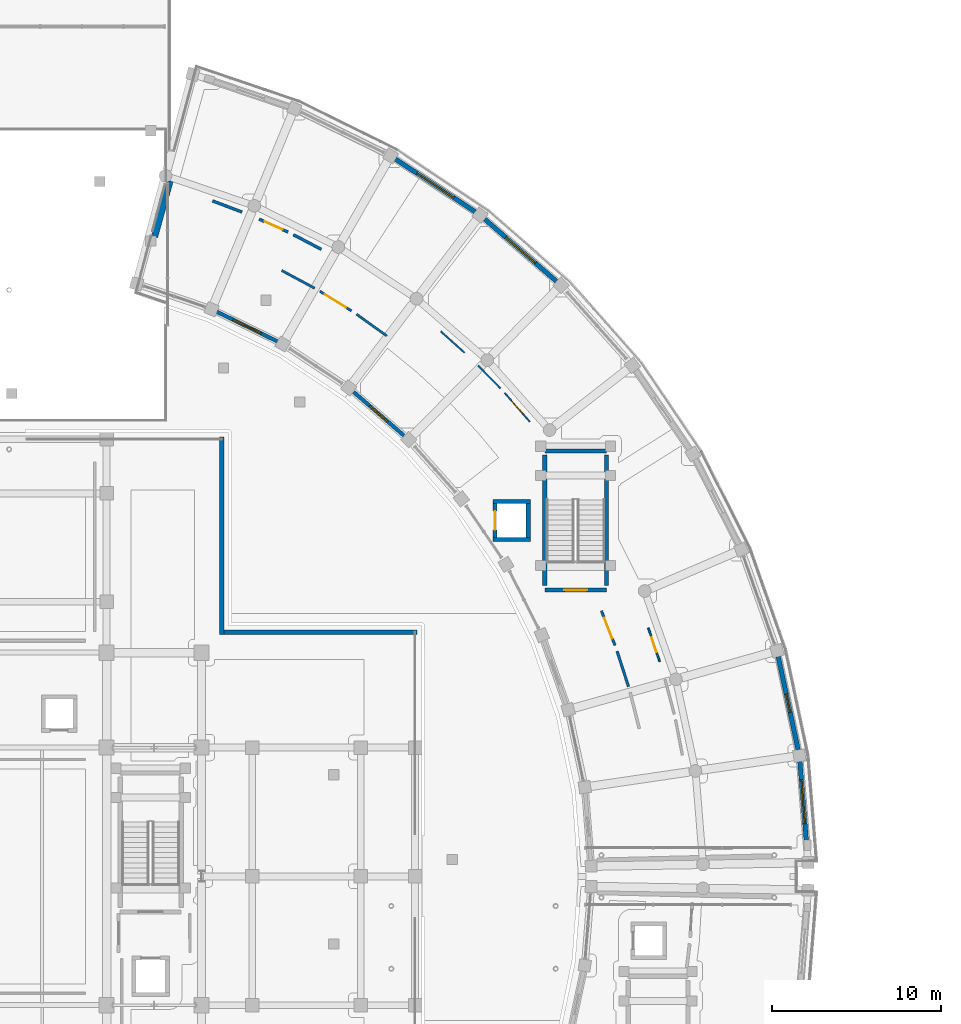
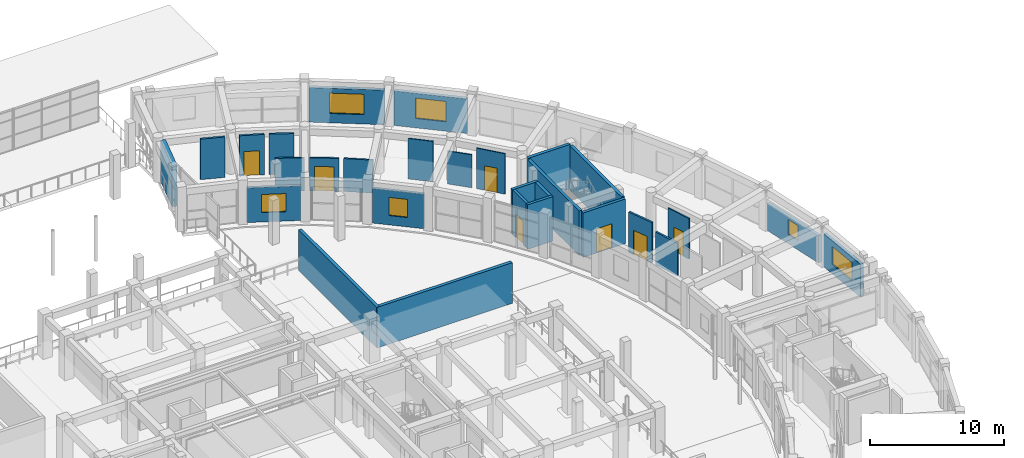
# One storey, part 63 of 87: 29 walls, 7 doors, 6 windows, 13 openings.
"""IFC4 building model written with IfcOpenShell, lengths in metres."""

from ifc_helpers import new_model, si_unit, direction, frame, frame_2d, origin, place, context, subcontext, project, spatial, rectangle, extrude, material, layer, layer_set, type_object, element, fill, save


model = new_model("IFC4")

# Units and contexts
model_context = context("Model", 3, precision=1e-05, world=origin(), true_north=direction((0.0, 1.0)))
body_context = subcontext(model_context, "Body", "Model", "MODEL_VIEW")
ifc_project = project(units=[si_unit("LENGTHUNIT", "METRE"), si_unit("AREAUNIT", "SQUARE_METRE"), si_unit("VOLUMEUNIT", "CUBIC_METRE"), si_unit("PLANEANGLEUNIT", "RADIAN"), si_unit("MASSUNIT", "GRAM", prefix="KILO")], contexts=[model_context])

# Site, building, storey
site_placement = place(None, origin())
site = spatial("IfcSite", under=ifc_project, at=site_placement, CompositionType="ELEMENT")
building_placement = place(site_placement, origin())
building = spatial("IfcBuilding", under=site, at=building_placement, Name="Saryqyr Civic Hall", CompositionType="ELEMENT")
storey_placement = place(building_placement, frame((0.0, 0.0, 5.10009765625)))
storey = spatial("IfcBuildingStorey", under=building, at=storey_placement, Name="L01", CompositionType="ELEMENT", Elevation=5.10009765625)

# Wall, opening, window
ifc_material_1 = material(Name="Precast concrete C40/50", Category="concrete")
ifc_layer_1 = layer(ifc_material_1, 0.219970703125, Name="Precast concrete C40/50")
ifc_layer_set_1 = layer_set([ifc_layer_1], Name="Precast concrete C40/50")
wall_type_1 = type_object("IfcWallType", Name="ENV-WAL-EXT-220", PredefinedType="STANDARD", material=ifc_layer_set_1)
wall_1_placement = place(storey_placement, frame((82.141845703125, 110.013427734375, 0.0), z_axis=(0.0, 0.0, 1.0), x_axis=(-0.755623339406, 0.655006388476, 0.0)))
wall_1 = element("IfcWall", 1, at=wall_1_placement, inside=storey, type_object=wall_type_1, Name="Exterior wall V6-EWI-L01-06", PredefinedType="STANDARD", context=body_context, shape_type="SweptSolid", body=[
    extrude(rectangle(XDim=3.921142578125, YDim=0.219970703125, at=frame_2d((1.96044921875, 0.0))), origin(), (0.0, 0.0, 1.0), 3.14501953125),
])
opening_1_placement = place(wall_1_placement, frame((1.260986328125, 0.0, 0.85009765625)))
opening_1 = element("IfcOpeningElement", 2, at=opening_1_placement, cuts=wall_1, Name="Opening W-18", PredefinedType="OPENING", context=body_context, shape_type="SweptSolid", body=[
    extrude(rectangle(XDim=1.39990234375, YDim=1.64990234375, at=frame_2d((0.699951171875, 0.824951171875))), frame((0.0, 0.119873046875, 0.0), z_axis=(0.0, -1.0, 0.0), x_axis=(1.0, 0.0, 0.0)), (0.0, 0.0, 1.0), 0.239990234375),
])
ifc_material_2 = material(Name="Anodised aluminium and triple low-E glass", Category="aluminium")
window_type_1 = type_object("IfcWindowType", Name="ENV-WIN-W18", PartitioningType="SINGLE_PANEL", PredefinedType="WINDOW", material=ifc_material_2)
window_1_placement = place(opening_1_placement, origin())
window_1 = element("IfcWindow", 3, at=window_1_placement, inside=storey, type_object=window_type_1, Name="Courtyard window V6-L01-06", OverallHeight=1.64990234375, OverallWidth=1.39990234375, PartitioningType="SINGLE_PANEL", PredefinedType="WINDOW", context=body_context, shape_type="SweptSolid", body=[
    extrude(rectangle(XDim=1.39990234375, YDim=1.64990234375, at=frame_2d((0.699951171875, 0.824951171875))), frame((0.0, 0.030029296875, 0.0), z_axis=(0.0, -1.0, 0.0), x_axis=(1.0, 0.0, 0.0)), (0.0, 0.0, 1.0), 0.06005859375),
])
fill(opening_1, window_1)

wall_2_placement = place(storey_placement, frame((74.7109375, 115.5498046875, 0.0), z_axis=(0.0, 0.0, 1.0), x_axis=(-0.897987675201, 0.440020607685, 0.0)))
wall_2 = element("IfcWall", 4, at=wall_2_placement, inside=storey, type_object=wall_type_1, Name="Exterior wall V6-EWI-L01-08", PredefinedType="STANDARD", context=body_context, shape_type="SweptSolid", body=[
    extrude(rectangle(XDim=4.040283203125, YDim=0.219970703125, at=frame_2d((2.02001953125, 0.0))), origin(), (0.0, 0.0, 1.0), 3.14501953125),
])
opening_2_placement = place(wall_2_placement, frame((1.094970703125, 0.0, 0.85009765625)))
opening_2 = element("IfcOpeningElement", 5, at=opening_2_placement, cuts=wall_2, Name="Opening W-20", PredefinedType="OPENING", context=body_context, shape_type="SweptSolid", body=[
    extrude(rectangle(XDim=1.85009765625, YDim=1.64990234375, at=frame_2d((0.925048828125, 0.824951171875))), frame((0.0, 0.119873046875, 0.0), z_axis=(0.0, -1.0, 0.0), x_axis=(1.0, 0.0, 0.0)), (0.0, 0.0, 1.0), 0.239990234375),
])
window_type_2 = type_object("IfcWindowType", Name="ENV-WIN-W20", PartitioningType="SINGLE_PANEL", PredefinedType="WINDOW", material=ifc_material_2)
window_2_placement = place(opening_2_placement, origin())
window_2 = element("IfcWindow", 6, at=window_2_placement, inside=storey, type_object=window_type_2, Name="Courtyard window V6-L01-08", OverallHeight=1.64990234375, OverallWidth=1.85009765625, PartitioningType="SINGLE_PANEL", PredefinedType="WINDOW", context=body_context, shape_type="SweptSolid", body=[
    extrude(rectangle(XDim=1.85009765625, YDim=1.64990234375, at=frame_2d((0.925048828125, 0.824951171875))), frame((0.0, 0.030029296875, 0.0), z_axis=(0.0, -1.0, 0.0), x_axis=(1.0, 0.0, 0.0)), (0.0, 0.0, 1.0), 0.06005859375),
])
fill(opening_2, window_2)

ifc_layer_2 = layer(ifc_material_1, 0.27001953125, Name="Precast concrete C40/50")
ifc_layer_set_2 = layer_set([ifc_layer_2], Name="Precast concrete C40/50")
wall_type_2 = type_object("IfcWallType", Name="ENV-WAL-EXT-270", PredefinedType="STANDARD", material=ifc_layer_set_2)
wall_3_placement = place(storey_placement, frame((105.503173828125, 90.8349609375, 0.0), z_axis=(0.0, 0.0, 1.0), x_axis=(0.081134010377, -0.996703201741, 0.0)))
wall_3 = element("IfcWall", 7, at=wall_3_placement, inside=storey, type_object=wall_type_2, Name="Exterior wall V6-EWO-L01-00", PredefinedType="STANDARD", context=body_context, shape_type="SweptSolid", body=[
    extrude(rectangle(XDim=4.86279296875, YDim=0.27001953125, at=frame_2d((2.431396484375, 0.0))), origin(), (0.0, 0.0, 1.0), 2.994873046875),
])
opening_3_placement = place(wall_3_placement, frame((1.131103515625, 0.0, 0.85009765625)))
opening_3 = element("IfcOpeningElement", 8, at=opening_3_placement, cuts=wall_3, Name="Opening W-23", PredefinedType="OPENING", context=body_context, shape_type="SweptSolid", body=[
    extrude(rectangle(XDim=2.60009765625, YDim=1.64990234375, at=frame_2d((1.300048828125, 0.824951171875))), frame((0.0, 0.14501953125, 0.0), z_axis=(0.0, -1.0, 0.0), x_axis=(1.0, 0.0, 0.0)), (0.0, 0.0, 1.0), 0.2900390625),
])
window_type_3 = type_object("IfcWindowType", Name="ENV-WIN-W23", PartitioningType="SINGLE_PANEL", PredefinedType="WINDOW", material=ifc_material_2)
window_3_placement = place(opening_3_placement, origin())
window_3 = element("IfcWindow", 9, at=window_3_placement, inside=storey, type_object=window_type_3, Name="Exterior ribbon window V6-L01-00", OverallHeight=1.64990234375, OverallWidth=2.60009765625, PartitioningType="SINGLE_PANEL", PredefinedType="WINDOW", context=body_context, shape_type="SweptSolid", body=[
    extrude(rectangle(XDim=2.60009765625, YDim=1.64990234375, at=frame_2d((1.300048828125, 0.824951171875))), frame((0.0, 0.030029296875, 0.0), z_axis=(0.0, -1.0, 0.0), x_axis=(1.0, 0.0, 0.0)), (0.0, 0.0, 1.0), 0.06005859375),
])
fill(opening_3, window_3)

wall_4_placement = place(storey_placement, frame((104.218994140625, 97.023681640625, 0.0), z_axis=(0.0, 0.0, 1.0), x_axis=(0.20889641488, -0.977937772995, 0.0)))
wall_4 = element("IfcWall", 10, at=wall_4_placement, inside=storey, type_object=wall_type_2, Name="Exterior wall V6-EWO-L01-01", PredefinedType="STANDARD", context=body_context, shape_type="SweptSolid", body=[
    extrude(rectangle(XDim=5.745361328125, YDim=0.27001953125, at=frame_2d((2.87255859375, 0.0))), origin(), (0.0, 0.0, 1.0), 2.449951171875),
])
opening_4_placement = place(wall_4_placement, frame((2.322998046875, 0.0, 0.85009765625)))
opening_4 = element("IfcOpeningElement", 11, at=opening_4_placement, cuts=wall_4, Name="Opening W-01", PredefinedType="OPENING", context=body_context, shape_type="SweptSolid", body=[
    extrude(rectangle(XDim=1.10009765625, YDim=1.35009765625, at=frame_2d((0.550048828125, 0.675048828125))), frame((0.0, 0.14501953125, 0.0), z_axis=(0.0, -1.0, 0.0), x_axis=(1.0, 0.0, 0.0)), (0.0, 0.0, 1.0), 0.2900390625),
])
window_type_4 = type_object("IfcWindowType", Name="ENV-WIN-W01", PartitioningType="SINGLE_PANEL", PredefinedType="WINDOW", material=ifc_material_2)
window_4_placement = place(opening_4_placement, origin())
window_4 = element("IfcWindow", 12, at=window_4_placement, inside=storey, type_object=window_type_4, Name="Exterior ribbon window V6-L01-01", OverallHeight=1.35009765625, OverallWidth=1.10009765625, PartitioningType="SINGLE_PANEL", PredefinedType="WINDOW", context=body_context, shape_type="SweptSolid", body=[
    extrude(rectangle(XDim=1.10009765625, YDim=1.35009765625, at=frame_2d((0.550048828125, 0.675048828125))), frame((0.0, 0.030029296875, 0.0), z_axis=(0.0, -1.0, 0.0), x_axis=(1.0, 0.0, 0.0)), (0.0, 0.0, 1.0), 0.06005859375),
])
fill(opening_4, window_4)

wall_5_placement = place(storey_placement, frame((86.920654296875, 122.775146484375, 0.0), z_axis=(0.0, 0.0, 1.0), x_axis=(0.755658734158, -0.654965554431, 0.0)))
wall_5 = element("IfcWall", 13, at=wall_5_placement, inside=storey, type_object=wall_type_2, Name="Exterior wall V6-EWO-L01-06", PredefinedType="STANDARD", context=body_context, shape_type="SweptSolid", body=[
    extrude(rectangle(XDim=5.57421875, YDim=0.27001953125, at=frame_2d((2.787109375, 0.0))), origin(), (0.0, 0.0, 1.0), 3.14501953125),
])
opening_5_placement = place(wall_5_placement, frame((1.636962890625, 0.0, 0.85009765625)))
opening_5 = element("IfcOpeningElement", 14, at=opening_5_placement, cuts=wall_5, Name="Opening W-29", PredefinedType="OPENING", context=body_context, shape_type="SweptSolid", body=[
    extrude(rectangle(XDim=2.300048828125, YDim=1.85009765625, at=frame_2d((1.14990234375, 0.925048828125))), frame((0.0, 0.14501953125, 0.0), z_axis=(0.0, -1.0, 0.0), x_axis=(1.0, 0.0, 0.0)), (0.0, 0.0, 1.0), 0.2900390625),
])
window_type_5 = type_object("IfcWindowType", Name="ENV-WIN-W29", PartitioningType="SINGLE_PANEL", PredefinedType="WINDOW", material=ifc_material_2)
window_5_placement = place(opening_5_placement, origin())
window_5 = element("IfcWindow", 15, at=window_5_placement, inside=storey, type_object=window_type_5, Name="Exterior ribbon window V6-L01-06", OverallHeight=1.85009765625, OverallWidth=2.300048828125, PartitioningType="SINGLE_PANEL", PredefinedType="WINDOW", context=body_context, shape_type="SweptSolid", body=[
    extrude(rectangle(XDim=2.300048828125, YDim=1.85009765625, at=frame_2d((1.14990234375, 0.925048828125))), frame((0.0, 0.030029296875, 0.0), z_axis=(0.0, -1.0, 0.0), x_axis=(1.0, 0.0, 0.0)), (0.0, 0.0, 1.0), 0.06005859375),
])
fill(opening_5, window_5)

wall_6_placement = place(storey_placement, frame((81.64404296875, 126.32763671875, 0.0), z_axis=(0.0, 0.0, 1.0), x_axis=(0.833762980449, -0.552122533894, 0.0)))
wall_6 = element("IfcWall", 16, at=wall_6_placement, inside=storey, type_object=wall_type_2, Name="Exterior wall V6-EWO-L01-07", PredefinedType="STANDARD", context=body_context, shape_type="SweptSolid", body=[
    extrude(rectangle(XDim=5.64501953125, YDim=0.27001953125, at=frame_2d((2.822509765625, 0.0))), origin(), (0.0, 0.0, 1.0), 3.14501953125),
])
opening_6_placement = place(wall_6_placement, frame((1.52197265625, 0.0, 0.85009765625)))
opening_6 = element("IfcOpeningElement", 17, at=opening_6_placement, cuts=wall_6, Name="Opening W-30", PredefinedType="OPENING", context=body_context, shape_type="SweptSolid", body=[
    extrude(rectangle(XDim=2.60009765625, YDim=1.85009765625, at=frame_2d((1.300048828125, 0.925048828125))), frame((0.0, 0.14501953125, 0.0), z_axis=(0.0, -1.0, 0.0), x_axis=(1.0, 0.0, 0.0)), (0.0, 0.0, 1.0), 0.2900390625),
])
window_type_6 = type_object("IfcWindowType", Name="ENV-WIN-W30", PartitioningType="SINGLE_PANEL", PredefinedType="WINDOW", material=ifc_material_2)
window_6_placement = place(opening_6_placement, origin())
window_6 = element("IfcWindow", 18, at=window_6_placement, inside=storey, type_object=window_type_6, Name="Exterior ribbon window V6-L01-07", OverallHeight=1.85009765625, OverallWidth=2.60009765625, PartitioningType="SINGLE_PANEL", PredefinedType="WINDOW", context=body_context, shape_type="SweptSolid", body=[
    extrude(rectangle(XDim=2.60009765625, YDim=1.85009765625, at=frame_2d((1.300048828125, 0.925048828125))), frame((0.0, 0.030029296875, 0.0), z_axis=(0.0, -1.0, 0.0), x_axis=(1.0, 0.0, 0.0)), (0.0, 0.0, 1.0), 0.06005859375),
])
fill(opening_6, window_6)

# Walls
for number, where, z_axis, x_axis, name in (
    (19, (71.39990234375, 109.919921875, 0.0), (0.0, 0.0, 1.0), (0.0, -1.0, 0.0), "Exterior wall V1-EW-L01-06"),
    (20, (71.280029296875, 98.39990234375, 0.0), (0.0, 0.0, 1.0), (1.0, 0.0, 0.0), "Exterior wall V1-EW-L01-07"),
):
    element("IfcWall", number, at=place(storey_placement, frame(where, z_axis=z_axis, x_axis=x_axis)), inside=storey, type_object=wall_type_2, Name=name, PredefinedType="STANDARD", context=body_context, shape_type="SweptSolid", body=[
        extrude(rectangle(XDim=11.639892578125, YDim=0.27001953125, at=frame_2d((5.81982421875, 0.0))), origin(), (0.0, 0.0, 1.0), 3.699951171875),
    ])
ifc_material_3 = material(Name="Concrete C40/50", Category="concrete")
ifc_layer_3 = layer(ifc_material_3, 0.3798828125, Name="Concrete C40/50")
ifc_layer_set_3 = layer_set([ifc_layer_3], Name="Concrete C40/50")
wall_type_3 = type_object("IfcWallType", Name="ENV-WAL-PTY-380", PredefinedType="SHEAR", material=ifc_layer_set_3)
wall_7_placement = place(storey_placement, frame((67.429443359375, 121.735107421875, 0.0), z_axis=(0.0, 0.0, 1.0), x_axis=(0.266413918486, 0.963858715807, 0.0)))
element("IfcWall", 21, at=wall_7_placement, inside=storey, type_object=wall_type_3, Name="Exterior wall V6-JNTW-B-L01", PredefinedType="SHEAR", context=body_context, shape_type="SweptSolid", body=[
    extrude(rectangle(XDim=3.419921875, YDim=0.3798828125, at=frame_2d((1.7099609375, 0.0))), origin(), (0.0, 0.0, 1.0), 3.75),
])
ifc_material_4 = material(Name="Lightweight demountable partition", Category="gypsum")
ifc_layer_4 = layer(ifc_material_4, 0.094970703125, Name="Lightweight demountable partition")
ifc_layer_set_4 = layer_set([ifc_layer_4], Name="Lightweight demountable partition")
wall_type_4 = type_object("IfcWallType", Name="INT-WAL-PRT-095", PredefinedType="PARTITIONING", material=ifc_layer_set_4)
wall_8_placement = place(storey_placement, frame((87.8427734375, 112.79443359375, 0.0), z_axis=(0.0, 0.0, 1.0), x_axis=(-0.701660756623, 0.712511180695, 0.0)))
element("IfcWall", 22, at=wall_8_placement, inside=storey, type_object=wall_type_4, Name="Interior partition PRT-SP-V6-L01-R02-W1", PredefinedType="PARTITIONING", context=body_context, shape_type="SweptSolid", body=[
    extrude(rectangle(XDim=1.89013671875, YDim=0.094970703125, at=frame_2d((0.945068359375, 0.0))), origin(), (0.0, 0.0, 1.0), 2.994873046875),
])

# Wall, opening, door
wall_9_placement = place(storey_placement, frame((89.5703125, 110.824951171875, 0.0), z_axis=(0.0, 0.0, 1.0), x_axis=(-0.656192085912, 0.75459389501, 0.0)))
wall_9 = element("IfcWall", 23, at=wall_9_placement, inside=storey, type_object=wall_type_4, Name="Interior partition PRT-SP-V6-L01-R02-W2", PredefinedType="PARTITIONING", context=body_context, shape_type="SweptSolid", body=[
    extrude(rectangle(XDim=2.26025390625, YDim=0.094970703125, at=frame_2d((1.130126953125, 0.0))), origin(), (0.0, 0.0, 1.0), 3.679931640625),
])
opening_7_placement = place(wall_9_placement, frame((0.6298828125, 0.0, 0.0)))
opening_7 = element("IfcOpeningElement", 24, at=opening_7_placement, cuts=wall_9, Name="Opening D-10", PredefinedType="OPENING", context=body_context, shape_type="SweptSolid", body=[
    extrude(rectangle(XDim=1.0, YDim=2.219970703125, at=frame_2d((0.5, 1.10986328125))), frame((0.0, 0.057373046875, 0.0), z_axis=(0.0, -1.0, 0.0), x_axis=(1.0, 0.0, 0.0)), (0.0, 0.0, 1.0), 0.114990234375),
])
ifc_material_5 = material(Name="Acoustic solid-core oak veneer", Category="wood")
door_type_1 = type_object("IfcDoorType", Name="INT-DR-D-10", OperationType="NOTDEFINED", PredefinedType="DOOR", material=ifc_material_5)
door_1_placement = place(opening_7_placement, origin())
door_1 = element("IfcDoor", 25, at=door_1_placement, inside=storey, type_object=door_type_1, Name="Interior door Heritage Conservation & Foothills Studio", OperationType="SINGLE_SWING_RIGHT", OverallHeight=2.219970703125, OverallWidth=1.0, PredefinedType="DOOR", context=body_context, shape_type="SweptSolid", body=[
    extrude(rectangle(XDim=1.0, YDim=2.219970703125, at=frame_2d((0.5, 1.10986328125))), frame((0.0, 0.02490234375, 0.0), z_axis=(0.0, -1.0, 0.0), x_axis=(1.0, 0.0, 0.0)), (0.0, 0.0, 1.0), 0.050048828125),
])
fill(opening_7, door_1)

# Wall
wall_10_placement = place(storey_placement, frame((85.720947265625, 114.89990234375, 0.0), z_axis=(0.0, 0.0, 1.0), x_axis=(-0.744551729157, 0.667564770348, 0.0)))
element("IfcWall", 26, at=wall_10_placement, inside=storey, type_object=wall_type_4, Name="Interior partition PRT-SP-V6-L01-R02-W3", PredefinedType="PARTITIONING", context=body_context, shape_type="SweptSolid", body=[
    extrude(rectangle(XDim=1.89013671875, YDim=0.094970703125, at=frame_2d((0.945068359375, 0.0))), origin(), (0.0, 0.0, 1.0), 3.679931640625),
])

# Wall, opening, door
ifc_material_6 = material(Name="Moisture-resistant gypsum partition", Category="gypsum")
ifc_layer_5 = layer(ifc_material_6, 0.110107421875, Name="Moisture-resistant gypsum partition")
ifc_layer_set_5 = layer_set([ifc_layer_5], Name="Moisture-resistant gypsum partition")
wall_type_5 = type_object("IfcWallType", Name="INT-WAL-PRT-110", PredefinedType="PARTITIONING", material=ifc_layer_set_5)
wall_11_placement = place(storey_placement, frame((97.2373046875, 96.670654296875, 0.0), z_axis=(0.0, 0.0, 1.0), x_axis=(-0.319884220621, 0.947456640379, 0.0)))
wall_11 = element("IfcWall", 27, at=wall_11_placement, inside=storey, type_object=wall_type_5, Name="Interior partition PRT-SP-V6-L01-R01-W2", PredefinedType="PARTITIONING", context=body_context, shape_type="SweptSolid", body=[
    extrude(rectangle(XDim=2.101806640625, YDim=0.110107421875, at=frame_2d((1.05078125, 0.0))), origin(), (0.0, 0.0, 1.0), 3.679931640625),
])
opening_8_placement = place(wall_11_placement, frame((0.60107421875, 0.0, 0.0)))
opening_8 = element("IfcOpeningElement", 28, at=opening_8_placement, cuts=wall_11, Name="Opening D-09", PredefinedType="OPENING", context=body_context, shape_type="SweptSolid", body=[
    extrude(rectangle(XDim=0.89990234375, YDim=2.219970703125, at=frame_2d((0.449951171875, 1.10986328125))), frame((0.0, 0.06494140625, 0.0), z_axis=(0.0, -1.0, 0.0), x_axis=(1.0, 0.0, 0.0)), (0.0, 0.0, 1.0), 0.130126953125),
])
door_type_2 = type_object("IfcDoorType", Name="INT-DR-D-09", OperationType="NOTDEFINED", PredefinedType="DOOR", material=ifc_material_5)
door_2_placement = place(opening_8_placement, origin())
door_2 = element("IfcDoor", 29, at=door_2_placement, inside=storey, type_object=door_type_2, Name="Interior door Municipal Housing Renewal Office", OperationType="SINGLE_SWING_LEFT", OverallHeight=2.219970703125, OverallWidth=0.89990234375, PredefinedType="DOOR", context=body_context, shape_type="SweptSolid", body=[
    extrude(rectangle(XDim=0.89990234375, YDim=2.219970703125, at=frame_2d((0.449951171875, 1.10986328125))), frame((0.0, 0.02490234375, 0.0), z_axis=(0.0, -1.0, 0.0), x_axis=(1.0, 0.0, 0.0)), (0.0, 0.0, 1.0), 0.050048828125),
])
fill(opening_8, door_2)

ifc_material_7 = material(Name="Metal-stud gypsum board partition", Category="gypsum")
ifc_layer_6 = layer(ifc_material_7, 0.139892578125, Name="Metal-stud gypsum board partition")
ifc_layer_set_6 = layer_set([ifc_layer_6], Name="Metal-stud gypsum board partition")
wall_type_6 = type_object("IfcWallType", Name="INT-WAL-PRT-140", PredefinedType="PARTITIONING", material=ifc_layer_set_6)
wall_12_placement = place(storey_placement, frame((77.18310546875, 118.5283203125, 0.0), z_axis=(0.0, 0.0, 1.0), x_axis=(0.849164067555, -0.52812913797, 0.0)))
wall_12 = element("IfcWall", 30, at=wall_12_placement, inside=storey, type_object=wall_type_6, Name="Interior partition PRT-SP-V6-L01-R05-W1", PredefinedType="PARTITIONING", context=body_context, shape_type="SweptSolid", body=[
    extrude(rectangle(XDim=2.1962890625, YDim=0.139892578125, at=frame_2d((1.09814453125, 0.0))), origin(), (0.0, 0.0, 1.0), 2.994873046875),
])
opening_9_placement = place(wall_12_placement, frame((0.373046875, 0.0, 0.0)))
opening_9 = element("IfcOpeningElement", 31, at=opening_9_placement, cuts=wall_12, Name="Opening D-13", PredefinedType="OPENING", context=body_context, shape_type="SweptSolid", body=[
    extrude(rectangle(XDim=1.449951171875, YDim=2.219970703125, at=frame_2d((0.72509765625, 1.10986328125))), frame((0.0, 0.079833984375, 0.0), z_axis=(0.0, -1.0, 0.0), x_axis=(1.0, 0.0, 0.0)), (0.0, 0.0, 1.0), 0.159912109375),
])
door_type_3 = type_object("IfcDoorType", Name="INT-DR-D-13", OperationType="NOTDEFINED", PredefinedType="DOOR", material=ifc_material_5)
door_3_placement = place(opening_9_placement, origin())
door_3 = element("IfcDoor", 32, at=door_3_placement, inside=storey, type_object=door_type_3, Name="Interior door Citizen Mediation & Legal Aid Clinic", OperationType="SINGLE_SWING_LEFT", OverallHeight=2.219970703125, OverallWidth=1.449951171875, PredefinedType="DOOR", context=body_context, shape_type="SweptSolid", body=[
    extrude(rectangle(XDim=1.449951171875, YDim=2.219970703125, at=frame_2d((0.72509765625, 1.10986328125))), frame((0.0, 0.02490234375, 0.0), z_axis=(0.0, -1.0, 0.0), x_axis=(1.0, 0.0, 0.0)), (0.0, 0.0, 1.0), 0.050048828125),
])
fill(opening_9, door_3)

# Walls
for number, where, z_axis, x_axis, name in (
    (33, (79.347412109375, 117.168701171875, 0.0), (0.0, 0.0, 1.0), (0.813695920366, -0.581290761305, 0.0), "Interior partition PRT-SP-V6-L01-R05-W2"),
    (34, (74.936279296875, 119.747314453125, 0.0), (0.0, 0.0, 1.0), (0.881091360695, -0.472946100638, 0.0), "Interior partition PRT-SP-V6-L01-R05-W3"),
):
    element("IfcWall", number, at=place(storey_placement, frame(where, z_axis=z_axis, x_axis=x_axis)), inside=storey, type_object=wall_type_6, Name=name, PredefinedType="PARTITIONING", context=body_context, shape_type="SweptSolid", body=[
        extrude(rectangle(XDim=2.196533203125, YDim=0.139892578125, at=frame_2d((1.09814453125, 0.0))), origin(), (0.0, 0.0, 1.0), 2.994873046875),
    ])

# Wall, opening, door
ifc_material_8 = material(Name="Acoustic double-stud gypsum board", Category="gypsum")
ifc_layer_7 = layer(ifc_material_8, 0.155029296875, Name="Acoustic double-stud gypsum board")
ifc_layer_set_7 = layer_set([ifc_layer_7], Name="Acoustic double-stud gypsum board")
wall_type_7 = type_object("IfcWallType", Name="INT-WAL-PRT-155", PredefinedType="PARTITIONING", material=ifc_layer_set_7)
wall_13_placement = place(storey_placement, frame((93.796875, 99.67041015625, 0.0), z_axis=(0.0, 0.0, 1.0), x_axis=(0.366364143448, -0.930471554856, 0.0)))
wall_13 = element("IfcWall", 35, at=wall_13_placement, inside=storey, type_object=wall_type_7, Name="Interior partition PRT-SP-V6-L01-R04-W1", PredefinedType="PARTITIONING", context=body_context, shape_type="SweptSolid", body=[
    extrude(rectangle(XDim=2.196533203125, YDim=0.155029296875, at=frame_2d((1.09814453125, 0.0))), origin(), (0.0, 0.0, 1.0), 3.679931640625),
])
opening_10_placement = place(wall_13_placement, frame((0.447998046875, 0.0, 0.0)))
opening_10 = element("IfcOpeningElement", 36, at=opening_10_placement, cuts=wall_13, Name="Opening D-12", PredefinedType="OPENING", context=body_context, shape_type="SweptSolid", body=[
    extrude(rectangle(XDim=1.300048828125, YDim=2.219970703125, at=frame_2d((0.64990234375, 1.10986328125))), frame((0.0, 0.08740234375, 0.0), z_axis=(0.0, -1.0, 0.0), x_axis=(1.0, 0.0, 0.0)), (0.0, 0.0, 1.0), 0.175048828125),
])
door_type_4 = type_object("IfcDoorType", Name="INT-DR-D-12", OperationType="NOTDEFINED", PredefinedType="DOOR", material=ifc_material_5)
door_4_placement = place(opening_10_placement, origin())
door_4 = element("IfcDoor", 37, at=door_4_placement, inside=storey, type_object=door_type_4, Name="Interior door Public Hearing & Consultation Hall", OperationType="SINGLE_SWING_RIGHT", OverallHeight=2.219970703125, OverallWidth=1.300048828125, PredefinedType="DOOR", context=body_context, shape_type="SweptSolid", body=[
    extrude(rectangle(XDim=1.300048828125, YDim=2.219970703125, at=frame_2d((0.64990234375, 1.10986328125))), frame((0.0, 0.02490234375, 0.0), z_axis=(0.0, -1.0, 0.0), x_axis=(1.0, 0.0, 0.0)), (0.0, 0.0, 1.0), 0.050048828125),
])
fill(opening_10, door_4)

# Wall
wall_14_placement = place(storey_placement, frame((94.72265625, 97.287841796875, 0.0), z_axis=(0.0, 0.0, 1.0), x_axis=(0.306340182121, -0.951922104386, 0.0)))
element("IfcWall", 38, at=wall_14_placement, inside=storey, type_object=wall_type_7, Name="Interior partition PRT-SP-V6-L01-R04-W2", PredefinedType="PARTITIONING", context=body_context, shape_type="SweptSolid", body=[
    extrude(rectangle(XDim=2.196533203125, YDim=0.155029296875, at=frame_2d((1.09814453125, 0.0))), origin(), (0.0, 0.0, 1.0), 2.994873046875),
])

# Wall, opening, door
ifc_layer_8 = layer(ifc_material_8, 0.169921875, Name="Acoustic double-stud gypsum board")
ifc_layer_set_8 = layer_set([ifc_layer_8], Name="Acoustic double-stud gypsum board")
wall_type_8 = type_object("IfcWallType", Name="INT-WAL-PRT-170", PredefinedType="PARTITIONING", material=ifc_layer_set_8)
wall_15_placement = place(storey_placement, frame((75.300537109375, 122.019775390625, 0.0), z_axis=(0.0, 0.0, 1.0), x_axis=(-0.912201421818, 0.40974207257, 0.0)))
wall_15 = element("IfcWall", 39, at=wall_15_placement, inside=storey, type_object=wall_type_8, Name="Interior partition PRT-SP-V6-L01-R03-W1", PredefinedType="PARTITIONING", context=body_context, shape_type="SweptSolid", body=[
    extrude(rectangle(XDim=1.859130859375, YDim=0.169921875, at=frame_2d((0.9296875, 0.0))), origin(), (0.0, 0.0, 1.0), 3.679931640625),
])
opening_11_placement = place(wall_15_placement, frame((0.35498046875, 0.0, 0.0)))
opening_11 = element("IfcOpeningElement", 40, at=opening_11_placement, cuts=wall_15, Name="Opening D-11", PredefinedType="OPENING", context=body_context, shape_type="SweptSolid", body=[
    extrude(rectangle(XDim=1.14990234375, YDim=2.219970703125, at=frame_2d((0.574951171875, 1.10986328125))), frame((0.0, 0.094970703125, 0.0), z_axis=(0.0, -1.0, 0.0), x_axis=(1.0, 0.0, 0.0)), (0.0, 0.0, 1.0), 0.18994140625),
])
door_type_5 = type_object("IfcDoorType", Name="INT-DR-D-11", OperationType="NOTDEFINED", PredefinedType="DOOR", material=ifc_material_5)
door_5_placement = place(opening_11_placement, origin())
door_5 = element("IfcDoor", 41, at=door_5_placement, inside=storey, type_object=door_type_5, Name="Interior door Staff & Accessible MGN WC L01-N", OperationType="SINGLE_SWING_LEFT", OverallHeight=2.219970703125, OverallWidth=1.14990234375, PredefinedType="DOOR", context=body_context, shape_type="SweptSolid", body=[
    extrude(rectangle(XDim=1.14990234375, YDim=2.219970703125, at=frame_2d((0.574951171875, 1.10986328125))), frame((0.0, 0.02490234375, 0.0), z_axis=(0.0, -1.0, 0.0), x_axis=(1.0, 0.0, 0.0)), (0.0, 0.0, 1.0), 0.050048828125),
])
fill(opening_11, door_5)

# Walls
for number, where, z_axis, x_axis, name in (
    (42, (77.270263671875, 120.997802734375, 0.0), (0.0, 0.0, 1.0), (-0.88531952644, 0.464983156797, 0.0), "Interior partition PRT-SP-V6-L01-R03-W2"),
    (43, (72.58837890625, 123.201171875, 0.0), (0.0, 0.0, 1.0), (-0.935631179075, 0.352979173243, 0.0), "Interior partition PRT-SP-V6-L01-R03-W3"),
):
    element("IfcWall", number, at=place(storey_placement, frame(where, z_axis=z_axis, x_axis=x_axis)), inside=storey, type_object=wall_type_8, Name=name, PredefinedType="PARTITIONING", context=body_context, shape_type="SweptSolid", body=[
        extrude(rectangle(XDim=1.859130859375, YDim=0.169921875, at=frame_2d((0.9296875, 0.0))), origin(), (0.0, 0.0, 1.0), 3.679931640625),
    ])
ifc_layer_9 = layer(ifc_material_3, 0.239990234375, Name="Concrete C40/50")
ifc_layer_set_9 = layer_set([ifc_layer_9], Name="Concrete C40/50")
wall_type_9 = type_object("IfcWallType", Name="INT-WAL-SHR-240", PredefinedType="SHEAR", material=ifc_layer_set_9)
wall_16_placement = place(storey_placement, frame((89.60009765625, 103.8701171875, 0.0), z_axis=(0.0, 0.0, 1.0), x_axis=(-1.0, 0.0, 0.0)))
element("IfcWall", 44, at=wall_16_placement, inside=storey, type_object=wall_type_9, Name="Lift shaft shear wall LF-08-SHW-S-L01", PredefinedType="SHEAR", context=body_context, shape_type="SweptSolid", body=[
    extrude(rectangle(XDim=2.2001953125, YDim=0.239990234375, at=frame_2d((1.10009765625, 0.0))), origin(), (0.0, 0.0, 1.0), 4.0498046875),
])
wall_17_placement = place(storey_placement, frame((89.47998046875, 106.010009765625, 0.0), z_axis=(0.0, 0.0, 1.0), x_axis=(0.0, -1.0, 0.0)))
element("IfcWall", 45, at=wall_17_placement, inside=storey, type_object=wall_type_9, Name="Lift shaft shear wall LF-08-SHW-E-L01", PredefinedType="SHEAR", context=body_context, shape_type="SweptSolid", body=[
    extrude(rectangle(XDim=2.02001953125, YDim=0.239990234375, at=frame_2d((1.010009765625, 0.0))), origin(), (0.0, 0.0, 1.0), 4.0498046875),
])
wall_18_placement = place(storey_placement, frame((87.39990234375, 106.1298828125, 0.0), z_axis=(0.0, 0.0, 1.0), x_axis=(1.0, 0.0, 0.0)))
element("IfcWall", 46, at=wall_18_placement, inside=storey, type_object=wall_type_9, Name="Lift shaft shear wall LF-08-SHW-N-L01", PredefinedType="SHEAR", context=body_context, shape_type="SweptSolid", body=[
    extrude(rectangle(XDim=2.2001953125, YDim=0.239990234375, at=frame_2d((1.10009765625, 0.0))), origin(), (0.0, 0.0, 1.0), 4.0498046875),
])

# Wall, opening, door
wall_19_placement = place(storey_placement, frame((87.52001953125, 103.989990234375, 0.0), z_axis=(0.0, 0.0, 1.0), x_axis=(0.0, 1.0, 0.0)))
wall_19 = element("IfcWall", 47, at=wall_19_placement, inside=storey, type_object=wall_type_9, Name="Lift shaft shear wall LF-08-SHW-W-L01", PredefinedType="SHEAR", context=body_context, shape_type="SweptSolid", body=[
    extrude(rectangle(XDim=2.02001953125, YDim=0.239990234375, at=frame_2d((1.010009765625, 0.0))), origin(), (0.0, 0.0, 1.0), 4.0498046875),
])
opening_12_placement = place(wall_19_placement, frame((0.4599609375, 0.0, 0.0)))
opening_12 = element("IfcOpeningElement", 48, at=opening_12_placement, cuts=wall_19, Name="Opening LD-01", PredefinedType="OPENING", context=body_context, shape_type="SweptSolid", body=[
    extrude(rectangle(XDim=1.10009765625, YDim=2.14990234375, at=frame_2d((0.550048828125, 1.074951171875))), frame((0.0, 0.1298828125, 0.0), z_axis=(0.0, -1.0, 0.0), x_axis=(1.0, 0.0, 0.0)), (0.0, 0.0, 1.0), 0.260009765625),
])
ifc_material_9 = material(Name="Brushed stainless steel", Category="steel")
door_type_6 = type_object("IfcDoorType", Name="INT-DR-LD-1100x2150", OperationType="NOTDEFINED", PredefinedType="DOOR", material=ifc_material_9)
door_6_placement = place(opening_12_placement, origin())
door_6 = element("IfcDoor", 49, at=door_6_placement, inside=storey, type_object=door_type_6, Name="Lift sliding landing door LF-08 L01", OperationType="SLIDING_TO_RIGHT", OverallHeight=2.14990234375, OverallWidth=1.10009765625, PredefinedType="DOOR", context=body_context, shape_type="SweptSolid", body=[
    extrude(rectangle(XDim=1.10009765625, YDim=2.14990234375, at=frame_2d((0.550048828125, 1.074951171875))), frame((0.0, 0.02490234375, 0.0), z_axis=(0.0, -1.0, 0.0), x_axis=(1.0, 0.0, 0.0)), (0.0, 0.0, 1.0), 0.050048828125),
])
fill(opening_12, door_6)

ifc_layer_10 = layer(ifc_material_3, 0.25, Name="Concrete C40/50")
ifc_layer_set_10 = layer_set([ifc_layer_10], Name="Concrete C40/50")
wall_type_10 = type_object("IfcWallType", Name="INT-WAL-SHR-250", PredefinedType="SHEAR", material=ifc_layer_set_10)
wall_20_placement = place(storey_placement, frame((94.10009765625, 100.89990234375, 0.0), z_axis=(0.0, 0.0, 1.0), x_axis=(-1.0, 0.0, 0.0)))
wall_20 = element("IfcWall", 50, at=wall_20_placement, inside=storey, type_object=wall_type_10, Name="Protected stair shaft wall ST-6-SW1-L01", PredefinedType="SHEAR", context=body_context, shape_type="SweptSolid", body=[
    extrude(rectangle(XDim=3.64013671875, YDim=0.25, at=frame_2d((1.820068359375, 0.0))), origin(), (0.0, 0.0, 1.0), 4.0498046875),
])
opening_13_placement = place(wall_20_placement, frame((1.14501953125, 0.0, 0.0)))
opening_13 = element("IfcOpeningElement", 51, at=opening_13_placement, cuts=wall_20, Name="Opening SD-01", PredefinedType="OPENING", context=body_context, shape_type="SweptSolid", body=[
    extrude(rectangle(XDim=1.35009765625, YDim=2.199951171875, at=frame_2d((0.675048828125, 1.10009765625))), frame((0.0, 0.135009765625, 0.0), z_axis=(0.0, -1.0, 0.0), x_axis=(1.0, 0.0, 0.0)), (0.0, 0.0, 1.0), 0.27001953125),
])
ifc_material_10 = material(Name="Painted galvanized steel", Category="steel")
door_type_7 = type_object("IfcDoorType", Name="INT-DR-STAIR-1350x2200", OperationType="NOTDEFINED", PredefinedType="DOOR", material=ifc_material_10)
door_7_placement = place(opening_13_placement, origin())
door_7 = element("IfcDoor", 52, at=door_7_placement, inside=storey, type_object=door_type_7, Name="Exit stair landing fire door ST-6-L01", OperationType="SINGLE_SWING_LEFT", OverallHeight=2.199951171875, OverallWidth=1.35009765625, PredefinedType="DOOR", context=body_context, shape_type="SweptSolid", body=[
    extrude(rectangle(XDim=1.35009765625, YDim=2.199951171875, at=frame_2d((0.675048828125, 1.10009765625))), frame((0.0, 0.02490234375, 0.0), z_axis=(0.0, -1.0, 0.0), x_axis=(1.0, 0.0, 0.0)), (0.0, 0.0, 1.0), 0.050048828125),
])
fill(opening_13, door_7)

# Walls
wall_21_placement = place(storey_placement, frame((90.4599609375, 101.14990234375, 0.0), z_axis=(0.0, 0.0, 1.0), x_axis=(0.0, 1.0, 0.0)))
element("IfcWall", 53, at=wall_21_placement, inside=storey, type_object=wall_type_10, Name="Protected stair shaft wall ST-6-SW2-L01", PredefinedType="SHEAR", context=body_context, shape_type="SweptSolid", body=[
    extrude(rectangle(XDim=7.7001953125, YDim=0.25, at=frame_2d((3.85009765625, 0.0))), origin(), (0.0, 0.0, 1.0), 4.0498046875),
])
wall_22_placement = place(storey_placement, frame((90.4599609375, 109.10009765625, 0.0), z_axis=(0.0, 0.0, 1.0), x_axis=(1.0, 0.0, 0.0)))
element("IfcWall", 54, at=wall_22_placement, inside=storey, type_object=wall_type_10, Name="Protected stair shaft wall ST-6-SW3-L01", PredefinedType="SHEAR", context=body_context, shape_type="SweptSolid", body=[
    extrude(rectangle(XDim=3.64013671875, YDim=0.25, at=frame_2d((1.820068359375, 0.0))), origin(), (0.0, 0.0, 1.0), 4.0498046875),
])
wall_23_placement = place(storey_placement, frame((94.10009765625, 108.85009765625, 0.0), z_axis=(0.0, 0.0, 1.0), x_axis=(0.0, -1.0, 0.0)))
element("IfcWall", 55, at=wall_23_placement, inside=storey, type_object=wall_type_10, Name="Protected stair shaft wall ST-6-SW4-L01", PredefinedType="SHEAR", context=body_context, shape_type="SweptSolid", body=[
    extrude(rectangle(XDim=7.7001953125, YDim=0.25, at=frame_2d((3.85009765625, 0.0))), origin(), (0.0, 0.0, 1.0), 4.0498046875),
])

save(model, "model.ifc")
